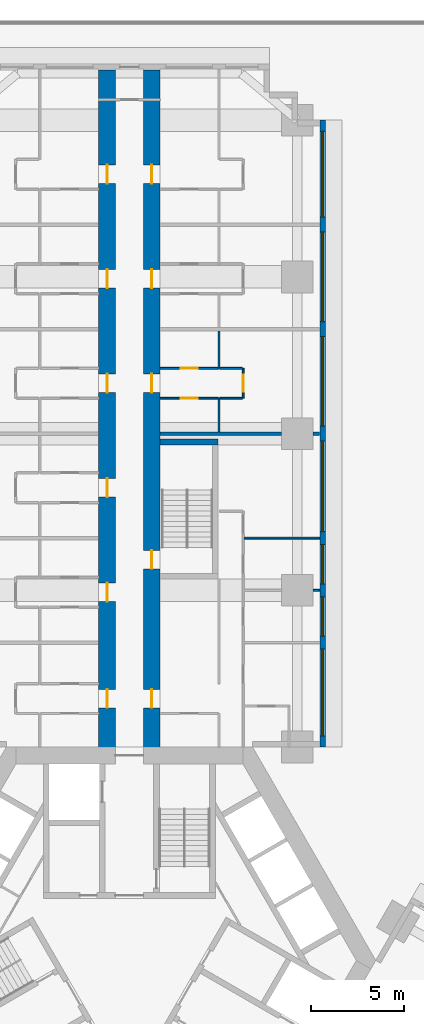
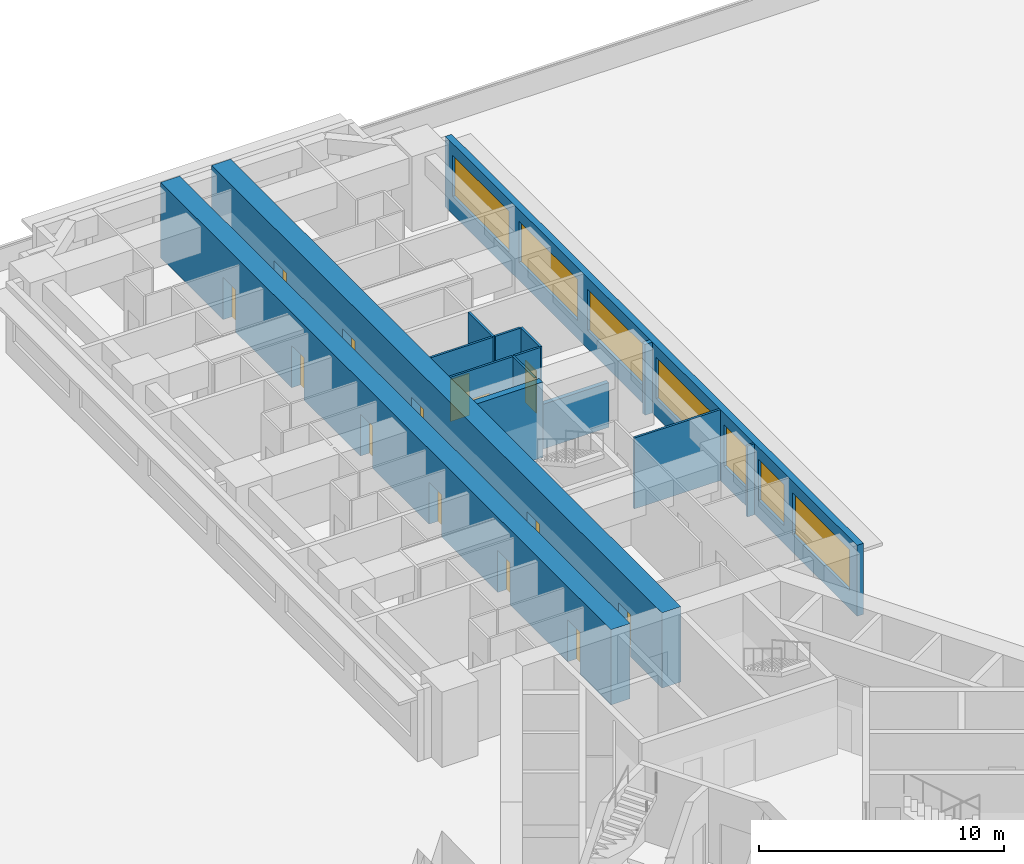
# One storey, part 10 of 18: 15 walls, 14 doors, 7 windows, 21 openings.
"""IFC4 building model written with IfcOpenShell, lengths in metres."""

from ifc_helpers import new_model, si_unit, direction, frame, frame_2d, origin, place, context, subcontext, project, spatial, rectangle, extrude, material, layer, layer_set, type_object, element, fill, save


model = new_model("IFC4")

# Units and contexts
model_context = context("Model", 3, precision=1e-05, world=origin(), true_north=direction((0.0, 1.0)))
body_context = subcontext(model_context, "Body", "Model", "MODEL_VIEW")
ifc_project = project(units=[si_unit("LENGTHUNIT", "METRE"), si_unit("AREAUNIT", "SQUARE_METRE"), si_unit("VOLUMEUNIT", "CUBIC_METRE"), si_unit("PLANEANGLEUNIT", "RADIAN"), si_unit("MASSUNIT", "GRAM", prefix="KILO")], contexts=[model_context])

# Site, building, storey
site_placement = place(None, origin())
site = spatial("IfcSite", under=ifc_project, at=site_placement, CompositionType="ELEMENT")
building_placement = place(site_placement, origin())
building = spatial("IfcBuilding", under=site, at=building_placement, Name="Impinga Residences", CompositionType="ELEMENT")
storey_placement = place(building_placement, frame((0.0, 0.0, 26.0)))
storey = spatial("IfcBuildingStorey", under=building, at=storey_placement, Name="L05", CompositionType="ELEMENT", Elevation=26.0)

# Wall, openings, doors
ifc_material_1 = material(Name="Concrete C70/85", Category="concrete")
ifc_layer_1 = layer(ifc_material_1, 0.89990234375)
ifc_layer_set_1 = layer_set([ifc_layer_1], Name="Concrete C70/85")
wall_type_1 = type_object("IfcWallType", Name="BW1 corridor buttress wall, L05 to L22 900", PredefinedType="SHEAR", material=ifc_layer_set_1)
wall_1_placement = place(storey_placement, frame((-1.199951171875, 10.9814453125, 0.0), z_axis=(0.0, 0.0, 1.0), x_axis=(0.0, 1.0, 0.0)))
wall_1 = element("IfcWall", 1, at=wall_1_placement, inside=storey, type_object=wall_type_1, Name="Corridor wall BW1 NC L05", PredefinedType="SHEAR", context=body_context, shape_type="SweptSolid", body=[
    extrude(rectangle(XDim=36.75, YDim=0.89990234375, at=frame_2d((18.375, 0.0))), origin(), (0.0, 0.0, 1.0), 3.75),
])
opening_1_placement = place(wall_1_placement, frame((2.550048828125, 0.0, 0.0)))
opening_1 = element("IfcOpeningElement", 2, at=opening_1_placement, cuts=wall_1, Name="Opening D1", PredefinedType="OPENING", context=body_context, shape_type="SweptSolid", body=[
    extrude(rectangle(XDim=1.0, YDim=2.10009765625, at=frame_2d((0.5, 1.050048828125))), frame((0.0, 0.4599609375, 0.0), z_axis=(0.0, -1.0, 0.0), x_axis=(1.0, 0.0, 0.0)), (0.0, 0.0, 1.0), 0.919921875),
])
opening_2_placement = place(wall_1_placement, frame((8.25, 0.0, 0.0)))
opening_2 = element("IfcOpeningElement", 3, at=opening_2_placement, cuts=wall_1, Name="Opening D1", PredefinedType="OPENING", context=body_context, shape_type="SweptSolid", body=[
    extrude(rectangle(XDim=1.0, YDim=2.10009765625, at=frame_2d((0.5, 1.050048828125))), frame((0.0, 0.4599609375, 0.0), z_axis=(0.0, -1.0, 0.0), x_axis=(1.0, 0.0, 0.0)), (0.0, 0.0, 1.0), 0.919921875),
])
opening_3_placement = place(wall_1_placement, frame((13.85009765625, 0.0, 0.0)))
opening_3 = element("IfcOpeningElement", 4, at=opening_3_placement, cuts=wall_1, Name="Opening D1", PredefinedType="OPENING", context=body_context, shape_type="SweptSolid", body=[
    extrude(rectangle(XDim=1.0, YDim=2.10009765625, at=frame_2d((0.5, 1.050048828125))), frame((0.0, 0.4599609375, 0.0), z_axis=(0.0, -1.0, 0.0), x_axis=(1.0, 0.0, 0.0)), (0.0, 0.0, 1.0), 0.919921875),
])
opening_4_placement = place(wall_1_placement, frame((19.449951171875, 0.0, 0.0)))
opening_4 = element("IfcOpeningElement", 5, at=opening_4_placement, cuts=wall_1, Name="Opening D1", PredefinedType="OPENING", context=body_context, shape_type="SweptSolid", body=[
    extrude(rectangle(XDim=1.0, YDim=2.10009765625, at=frame_2d((0.5, 1.050048828125))), frame((0.0, 0.4599609375, 0.0), z_axis=(0.0, -1.0, 0.0), x_axis=(1.0, 0.0, 0.0)), (0.0, 0.0, 1.0), 0.919921875),
])
opening_5_placement = place(wall_1_placement, frame((25.050048828125, 0.0, 0.0)))
opening_5 = element("IfcOpeningElement", 6, at=opening_5_placement, cuts=wall_1, Name="Opening D1", PredefinedType="OPENING", context=body_context, shape_type="SweptSolid", body=[
    extrude(rectangle(XDim=1.0, YDim=2.10009765625, at=frame_2d((0.5, 1.050048828125))), frame((0.0, 0.4599609375, 0.0), z_axis=(0.0, -1.0, 0.0), x_axis=(1.0, 0.0, 0.0)), (0.0, 0.0, 1.0), 0.919921875),
])
opening_6_placement = place(wall_1_placement, frame((30.64990234375, 0.0, 0.0)))
opening_6 = element("IfcOpeningElement", 7, at=opening_6_placement, cuts=wall_1, Name="Opening D1", PredefinedType="OPENING", context=body_context, shape_type="SweptSolid", body=[
    extrude(rectangle(XDim=1.0, YDim=2.10009765625, at=frame_2d((0.5, 1.050048828125))), frame((0.0, 0.4599609375, 0.0), z_axis=(0.0, -1.0, 0.0), x_axis=(1.0, 0.0, 0.0)), (0.0, 0.0, 1.0), 0.919921875),
])
ifc_material_2 = material(Name="Timber door set", Category="wood")
door_type_1 = type_object("IfcDoorType", Name="D1 apartment entrance door 1000x2100", OperationType="SINGLE_SWING_LEFT", PredefinedType="DOOR", material=ifc_material_2)
door_1_placement = place(opening_1_placement, origin())
door_1 = element("IfcDoor", 8, at=door_1_placement, inside=storey, type_object=door_type_1, Name="Apartment L05-NA1 entrance", OperationType="SINGLE_SWING_LEFT", OverallHeight=2.10009765625, OverallWidth=1.0, PredefinedType="DOOR", context=body_context, shape_type="SweptSolid", body=[
    extrude(rectangle(XDim=1.0, YDim=2.10009765625, at=frame_2d((0.5, 1.050048828125))), frame((0.0, 0.02490234375, 0.0), z_axis=(0.0, -1.0, 0.0), x_axis=(1.0, 0.0, 0.0)), (0.0, 0.0, 1.0), 0.050048828125),
])
fill(opening_1, door_1)
door_2_placement = place(opening_2_placement, origin())
door_2 = element("IfcDoor", 9, at=door_2_placement, inside=storey, type_object=door_type_1, Name="Apartment L05-NA2 entrance", OperationType="SINGLE_SWING_LEFT", OverallHeight=2.10009765625, OverallWidth=1.0, PredefinedType="DOOR", context=body_context, shape_type="SweptSolid", body=[
    extrude(rectangle(XDim=1.0, YDim=2.10009765625, at=frame_2d((0.5, 1.050048828125))), frame((0.0, 0.02490234375, 0.0), z_axis=(0.0, -1.0, 0.0), x_axis=(1.0, 0.0, 0.0)), (0.0, 0.0, 1.0), 0.050048828125),
])
fill(opening_2, door_2)
door_3_placement = place(opening_3_placement, origin())
door_3 = element("IfcDoor", 10, at=door_3_placement, inside=storey, type_object=door_type_1, Name="Apartment L05-NA3 entrance", OperationType="SINGLE_SWING_LEFT", OverallHeight=2.10009765625, OverallWidth=1.0, PredefinedType="DOOR", context=body_context, shape_type="SweptSolid", body=[
    extrude(rectangle(XDim=1.0, YDim=2.10009765625, at=frame_2d((0.5, 1.050048828125))), frame((0.0, 0.02490234375, 0.0), z_axis=(0.0, -1.0, 0.0), x_axis=(1.0, 0.0, 0.0)), (0.0, 0.0, 1.0), 0.050048828125),
])
fill(opening_3, door_3)
door_4_placement = place(opening_4_placement, origin())
door_4 = element("IfcDoor", 11, at=door_4_placement, inside=storey, type_object=door_type_1, Name="Apartment L05-NA4 entrance", OperationType="SINGLE_SWING_RIGHT", OverallHeight=2.10009765625, OverallWidth=1.0, PredefinedType="DOOR", context=body_context, shape_type="SweptSolid", body=[
    extrude(rectangle(XDim=1.0, YDim=2.10009765625, at=frame_2d((0.5, 1.050048828125))), frame((0.0, 0.02490234375, 0.0), z_axis=(0.0, -1.0, 0.0), x_axis=(1.0, 0.0, 0.0)), (0.0, 0.0, 1.0), 0.050048828125),
])
fill(opening_4, door_4)
door_5_placement = place(opening_5_placement, origin())
door_5 = element("IfcDoor", 12, at=door_5_placement, inside=storey, type_object=door_type_1, Name="Apartment L05-NA5 entrance", OperationType="SINGLE_SWING_RIGHT", OverallHeight=2.10009765625, OverallWidth=1.0, PredefinedType="DOOR", context=body_context, shape_type="SweptSolid", body=[
    extrude(rectangle(XDim=1.0, YDim=2.10009765625, at=frame_2d((0.5, 1.050048828125))), frame((0.0, 0.02490234375, 0.0), z_axis=(0.0, -1.0, 0.0), x_axis=(1.0, 0.0, 0.0)), (0.0, 0.0, 1.0), 0.050048828125),
])
fill(opening_5, door_5)
door_6_placement = place(opening_6_placement, origin())
door_6 = element("IfcDoor", 13, at=door_6_placement, inside=storey, type_object=door_type_1, Name="Apartment L05-NA6 entrance", OperationType="SINGLE_SWING_RIGHT", OverallHeight=2.10009765625, OverallWidth=1.0, PredefinedType="DOOR", context=body_context, shape_type="SweptSolid", body=[
    extrude(rectangle(XDim=1.0, YDim=2.10009765625, at=frame_2d((0.5, 1.050048828125))), frame((0.0, 0.02490234375, 0.0), z_axis=(0.0, -1.0, 0.0), x_axis=(1.0, 0.0, 0.0)), (0.0, 0.0, 1.0), 0.050048828125),
])
fill(opening_6, door_6)

wall_2_placement = place(storey_placement, frame((1.199951171875, 10.9814453125, 0.0), z_axis=(0.0, 0.0, 1.0), x_axis=(0.0, 1.0, 0.0)))
wall_2 = element("IfcWall", 14, at=wall_2_placement, inside=storey, type_object=wall_type_1, Name="Corridor wall BW1 ND L05", PredefinedType="SHEAR", context=body_context, shape_type="SweptSolid", body=[
    extrude(rectangle(XDim=36.75, YDim=0.89990234375, at=frame_2d((18.375, 0.0))), origin(), (0.0, 0.0, 1.0), 3.75),
])
opening_7_placement = place(wall_2_placement, frame((10.0, 0.0, 0.0)))
opening_7 = element("IfcOpeningElement", 15, at=opening_7_placement, cuts=wall_2, Name="Opening D5", PredefinedType="OPENING", context=body_context, shape_type="SweptSolid", body=[
    extrude(rectangle(XDim=1.0, YDim=2.10009765625, at=frame_2d((0.5, 1.050048828125))), frame((0.0, 0.4599609375, 0.0), z_axis=(0.0, -1.0, 0.0), x_axis=(1.0, 0.0, 0.0)), (0.0, 0.0, 1.0), 0.919921875),
])
opening_8_placement = place(wall_2_placement, frame((2.550048828125, 0.0, 0.0)))
opening_8 = element("IfcOpeningElement", 16, at=opening_8_placement, cuts=wall_2, Name="Opening D1", PredefinedType="OPENING", context=body_context, shape_type="SweptSolid", body=[
    extrude(rectangle(XDim=1.0, YDim=2.10009765625, at=frame_2d((0.5, 1.050048828125))), frame((0.0, 0.4599609375, 0.0), z_axis=(0.0, -1.0, 0.0), x_axis=(1.0, 0.0, 0.0)), (0.0, 0.0, 1.0), 0.919921875),
])
opening_9_placement = place(wall_2_placement, frame((19.449951171875, 0.0, 0.0)))
opening_9 = element("IfcOpeningElement", 17, at=opening_9_placement, cuts=wall_2, Name="Opening D1", PredefinedType="OPENING", context=body_context, shape_type="SweptSolid", body=[
    extrude(rectangle(XDim=1.0, YDim=2.10009765625, at=frame_2d((0.5, 1.050048828125))), frame((0.0, 0.4599609375, 0.0), z_axis=(0.0, -1.0, 0.0), x_axis=(1.0, 0.0, 0.0)), (0.0, 0.0, 1.0), 0.919921875),
])
opening_10_placement = place(wall_2_placement, frame((25.050048828125, 0.0, 0.0)))
opening_10 = element("IfcOpeningElement", 18, at=opening_10_placement, cuts=wall_2, Name="Opening D1", PredefinedType="OPENING", context=body_context, shape_type="SweptSolid", body=[
    extrude(rectangle(XDim=1.0, YDim=2.10009765625, at=frame_2d((0.5, 1.050048828125))), frame((0.0, 0.4599609375, 0.0), z_axis=(0.0, -1.0, 0.0), x_axis=(1.0, 0.0, 0.0)), (0.0, 0.0, 1.0), 0.919921875),
])
opening_11_placement = place(wall_2_placement, frame((30.64990234375, 0.0, 0.0)))
opening_11 = element("IfcOpeningElement", 19, at=opening_11_placement, cuts=wall_2, Name="Opening D1", PredefinedType="OPENING", context=body_context, shape_type="SweptSolid", body=[
    extrude(rectangle(XDim=1.0, YDim=2.10009765625, at=frame_2d((0.5, 1.050048828125))), frame((0.0, 0.4599609375, 0.0), z_axis=(0.0, -1.0, 0.0), x_axis=(1.0, 0.0, 0.0)), (0.0, 0.0, 1.0), 0.919921875),
])
door_7_placement = place(opening_8_placement, origin())
door_7 = element("IfcDoor", 20, at=door_7_placement, inside=storey, type_object=door_type_1, Name="Apartment L05-NF1 entrance", OperationType="SINGLE_SWING_LEFT", OverallHeight=2.10009765625, OverallWidth=1.0, PredefinedType="DOOR", context=body_context, shape_type="SweptSolid", body=[
    extrude(rectangle(XDim=1.0, YDim=2.10009765625, at=frame_2d((0.5, 1.050048828125))), frame((0.0, 0.02490234375, 0.0), z_axis=(0.0, -1.0, 0.0), x_axis=(1.0, 0.0, 0.0)), (0.0, 0.0, 1.0), 0.050048828125),
])
fill(opening_8, door_7)
door_8_placement = place(opening_9_placement, origin())
door_8 = element("IfcDoor", 21, at=door_8_placement, inside=storey, type_object=door_type_1, Name="Apartment L05-NF2 entrance", OperationType="SINGLE_SWING_RIGHT", OverallHeight=2.10009765625, OverallWidth=1.0, PredefinedType="DOOR", context=body_context, shape_type="SweptSolid", body=[
    extrude(rectangle(XDim=1.0, YDim=2.10009765625, at=frame_2d((0.5, 1.050048828125))), frame((0.0, 0.02490234375, 0.0), z_axis=(0.0, -1.0, 0.0), x_axis=(1.0, 0.0, 0.0)), (0.0, 0.0, 1.0), 0.050048828125),
])
fill(opening_9, door_8)
door_9_placement = place(opening_10_placement, origin())
door_9 = element("IfcDoor", 22, at=door_9_placement, inside=storey, type_object=door_type_1, Name="Apartment L05-NF3 entrance", OperationType="SINGLE_SWING_RIGHT", OverallHeight=2.10009765625, OverallWidth=1.0, PredefinedType="DOOR", context=body_context, shape_type="SweptSolid", body=[
    extrude(rectangle(XDim=1.0, YDim=2.10009765625, at=frame_2d((0.5, 1.050048828125))), frame((0.0, 0.02490234375, 0.0), z_axis=(0.0, -1.0, 0.0), x_axis=(1.0, 0.0, 0.0)), (0.0, 0.0, 1.0), 0.050048828125),
])
fill(opening_10, door_9)
door_10_placement = place(opening_11_placement, origin())
door_10 = element("IfcDoor", 23, at=door_10_placement, inside=storey, type_object=door_type_1, Name="Apartment L05-NF4 entrance", OperationType="SINGLE_SWING_RIGHT", OverallHeight=2.10009765625, OverallWidth=1.0, PredefinedType="DOOR", context=body_context, shape_type="SweptSolid", body=[
    extrude(rectangle(XDim=1.0, YDim=2.10009765625, at=frame_2d((0.5, 1.050048828125))), frame((0.0, 0.02490234375, 0.0), z_axis=(0.0, -1.0, 0.0), x_axis=(1.0, 0.0, 0.0)), (0.0, 0.0, 1.0), 0.050048828125),
])
fill(opening_11, door_10)
door_type_2 = type_object("IfcDoorType", Name="D5 stair door 1000x2100", OperationType="SINGLE_SWING_LEFT", PredefinedType="DOOR", material=ifc_material_2)
door_11_placement = place(opening_7_placement, origin())
door_11 = element("IfcDoor", 24, at=door_11_placement, inside=storey, type_object=door_type_2, Name="Wing stair door N", OperationType="SINGLE_SWING_LEFT", OverallHeight=2.10009765625, OverallWidth=1.0, PredefinedType="DOOR", context=body_context, shape_type="SweptSolid", body=[
    extrude(rectangle(XDim=1.0, YDim=2.10009765625, at=frame_2d((0.5, 1.050048828125))), frame((0.0, 0.02490234375, 0.0), z_axis=(0.0, -1.0, 0.0), x_axis=(1.0, 0.0, 0.0)), (0.0, 0.0, 1.0), 0.050048828125),
])
fill(opening_7, door_11)

# Wall, openings, windows
ifc_material_3 = material(Name="Terracotta rainscreen on blockwork", Category="masonry")
ifc_layer_2 = layer(ifc_material_3, 0.300048828125)
ifc_layer_set_2 = layer_set([ifc_layer_2], Name="EW1 external wall, terracotta rainscreen on blockwork 300")
wall_type_2 = type_object("IfcWallType", Name="EW1 external wall, terracotta rainscreen on blockwork 300", PredefinedType="SOLIDWALL", material=ifc_layer_set_2)
wall_3_placement = place(storey_placement, frame((10.35009765625, 45.031494140625, 0.0), z_axis=(0.0, 0.0, 1.0), x_axis=(0.0, -1.0, 0.0)))
wall_3 = element("IfcWall", 25, at=wall_3_placement, inside=storey, type_object=wall_type_2, Name="External wall EW1 L05", PredefinedType="SOLIDWALL", context=body_context, shape_type="SweptSolid", body=[
    extrude(rectangle(XDim=33.599853515625, YDim=0.300048828125, at=frame_2d((16.7998046875, 0.0))), origin(), (0.0, 0.0, 1.0), 3.530029296875),
])
opening_12_placement = place(wall_3_placement, frame((0.60009765625, 0.0, 0.89990234375)))
opening_12 = element("IfcOpeningElement", 26, at=opening_12_placement, cuts=wall_3, Name="Opening W3", PredefinedType="OPENING", context=body_context, shape_type="SweptSolid", body=[
    extrude(rectangle(XDim=4.60009765625, YDim=2.050048828125, at=frame_2d((2.300048828125, 1.02490234375))), frame((0.0, 0.159912109375, 0.0), z_axis=(0.0, -1.0, 0.0), x_axis=(1.0, 0.0, 0.0)), (0.0, 0.0, 1.0), 0.320068359375),
])
opening_13_placement = place(wall_3_placement, frame((6.0, 0.0, 0.89990234375)))
opening_13 = element("IfcOpeningElement", 27, at=opening_13_placement, cuts=wall_3, Name="Opening W8", PredefinedType="OPENING", context=body_context, shape_type="SweptSolid", body=[
    extrude(rectangle(XDim=4.800048828125, YDim=2.050048828125, at=frame_2d((2.39990234375, 1.02490234375))), frame((0.0, 0.159912109375, 0.0), z_axis=(0.0, -1.0, 0.0), x_axis=(1.0, 0.0, 0.0)), (0.0, 0.0, 1.0), 0.320068359375),
])
opening_14_placement = place(wall_3_placement, frame((11.60009765625, 0.0, 0.89990234375)))
opening_14 = element("IfcOpeningElement", 28, at=opening_14_placement, cuts=wall_3, Name="Opening W8", PredefinedType="OPENING", context=body_context, shape_type="SweptSolid", body=[
    extrude(rectangle(XDim=4.800048828125, YDim=2.050048828125, at=frame_2d((2.39990234375, 1.02490234375))), frame((0.0, 0.159912109375, 0.0), z_axis=(0.0, -1.0, 0.0), x_axis=(1.0, 0.0, 0.0)), (0.0, 0.0, 1.0), 0.320068359375),
])
opening_15_placement = place(wall_3_placement, frame((17.199951171875, 0.0, 0.89990234375)))
opening_15 = element("IfcOpeningElement", 29, at=opening_15_placement, cuts=wall_3, Name="Opening W6", PredefinedType="OPENING", context=body_context, shape_type="SweptSolid", body=[
    extrude(rectangle(XDim=4.85009765625, YDim=2.050048828125, at=frame_2d((2.425048828125, 1.02490234375))), frame((0.0, 0.159912109375, 0.0), z_axis=(0.0, -1.0, 0.0), x_axis=(1.0, 0.0, 0.0)), (0.0, 0.0, 1.0), 0.320068359375),
])
opening_16_placement = place(wall_3_placement, frame((22.75, 0.0, 0.89990234375)))
opening_16 = element("IfcOpeningElement", 30, at=opening_16_placement, cuts=wall_3, Name="Opening W9", PredefinedType="OPENING", context=body_context, shape_type="SweptSolid", body=[
    extrude(rectangle(XDim=2.10009765625, YDim=2.050048828125, at=frame_2d((1.050048828125, 1.02490234375))), frame((0.0, 0.159912109375, 0.0), z_axis=(0.0, -1.0, 0.0), x_axis=(1.0, 0.0, 0.0)), (0.0, 0.0, 1.0), 0.320068359375),
])
opening_17_placement = place(wall_3_placement, frame((25.550048828125, 0.0, 0.89990234375)))
opening_17 = element("IfcOpeningElement", 31, at=opening_17_placement, cuts=wall_3, Name="Opening W9", PredefinedType="OPENING", context=body_context, shape_type="SweptSolid", body=[
    extrude(rectangle(XDim=2.10009765625, YDim=2.050048828125, at=frame_2d((1.050048828125, 1.02490234375))), frame((0.0, 0.159912109375, 0.0), z_axis=(0.0, -1.0, 0.0), x_axis=(1.0, 0.0, 0.0)), (0.0, 0.0, 1.0), 0.320068359375),
])
opening_18_placement = place(wall_3_placement, frame((28.35009765625, 0.0, 0.89990234375)))
opening_18 = element("IfcOpeningElement", 32, at=opening_18_placement, cuts=wall_3, Name="Opening W10", PredefinedType="OPENING", context=body_context, shape_type="SweptSolid", body=[
    extrude(rectangle(XDim=4.64990234375, YDim=2.050048828125, at=frame_2d((2.324951171875, 1.02490234375))), frame((0.0, 0.159912109375, 0.0), z_axis=(0.0, -1.0, 0.0), x_axis=(1.0, 0.0, 0.0)), (0.0, 0.0, 1.0), 0.320068359375),
])
ifc_material_4 = material(Name="Aluminium window, clear double glazing", Category="aluminium")
window_type_1 = type_object("IfcWindowType", Name="W10 ribbon window 4650x2050", PartitioningType="SINGLE_PANEL", PredefinedType="WINDOW", material=ifc_material_4)
window_1_placement = place(opening_18_placement, origin())
window_1 = element("IfcWindow", 33, at=window_1_placement, inside=storey, type_object=window_type_1, Name="Window L05", OverallHeight=2.050048828125, OverallWidth=4.64990234375, PartitioningType="SINGLE_PANEL", PredefinedType="WINDOW", context=body_context, shape_type="SweptSolid", body=[
    extrude(rectangle(XDim=4.64990234375, YDim=2.050048828125, at=frame_2d((2.324951171875, 1.02490234375))), frame((0.0, 0.030029296875, 0.0), z_axis=(0.0, -1.0, 0.0), x_axis=(1.0, 0.0, 0.0)), (0.0, 0.0, 1.0), 0.06005859375),
])
fill(opening_18, window_1)
window_type_2 = type_object("IfcWindowType", Name="W3 ribbon window 4600x2050", PartitioningType="SINGLE_PANEL", PredefinedType="WINDOW", material=ifc_material_4)
window_2_placement = place(opening_12_placement, origin())
window_2 = element("IfcWindow", 34, at=window_2_placement, inside=storey, type_object=window_type_2, Name="Window L05", OverallHeight=2.050048828125, OverallWidth=4.60009765625, PartitioningType="SINGLE_PANEL", PredefinedType="WINDOW", context=body_context, shape_type="SweptSolid", body=[
    extrude(rectangle(XDim=4.60009765625, YDim=2.050048828125, at=frame_2d((2.300048828125, 1.02490234375))), frame((0.0, 0.030029296875, 0.0), z_axis=(0.0, -1.0, 0.0), x_axis=(1.0, 0.0, 0.0)), (0.0, 0.0, 1.0), 0.06005859375),
])
fill(opening_12, window_2)
window_type_3 = type_object("IfcWindowType", Name="W6 ribbon window 4850x2050", PartitioningType="SINGLE_PANEL", PredefinedType="WINDOW", material=ifc_material_4)
window_3_placement = place(opening_15_placement, origin())
window_3 = element("IfcWindow", 35, at=window_3_placement, inside=storey, type_object=window_type_3, Name="Window L05", OverallHeight=2.050048828125, OverallWidth=4.85009765625, PartitioningType="SINGLE_PANEL", PredefinedType="WINDOW", context=body_context, shape_type="SweptSolid", body=[
    extrude(rectangle(XDim=4.85009765625, YDim=2.050048828125, at=frame_2d((2.425048828125, 1.02490234375))), frame((0.0, 0.030029296875, 0.0), z_axis=(0.0, -1.0, 0.0), x_axis=(1.0, 0.0, 0.0)), (0.0, 0.0, 1.0), 0.06005859375),
])
fill(opening_15, window_3)
window_type_4 = type_object("IfcWindowType", Name="W8 ribbon window 4800x2050", PartitioningType="SINGLE_PANEL", PredefinedType="WINDOW", material=ifc_material_4)
window_4_placement = place(opening_13_placement, origin())
window_4 = element("IfcWindow", 36, at=window_4_placement, inside=storey, type_object=window_type_4, Name="Window L05", OverallHeight=2.050048828125, OverallWidth=4.800048828125, PartitioningType="SINGLE_PANEL", PredefinedType="WINDOW", context=body_context, shape_type="SweptSolid", body=[
    extrude(rectangle(XDim=4.800048828125, YDim=2.050048828125, at=frame_2d((2.39990234375, 1.02490234375))), frame((0.0, 0.030029296875, 0.0), z_axis=(0.0, -1.0, 0.0), x_axis=(1.0, 0.0, 0.0)), (0.0, 0.0, 1.0), 0.06005859375),
])
fill(opening_13, window_4)
window_5_placement = place(opening_14_placement, origin())
window_5 = element("IfcWindow", 37, at=window_5_placement, inside=storey, type_object=window_type_4, Name="Window L05", OverallHeight=2.050048828125, OverallWidth=4.800048828125, PartitioningType="SINGLE_PANEL", PredefinedType="WINDOW", context=body_context, shape_type="SweptSolid", body=[
    extrude(rectangle(XDim=4.800048828125, YDim=2.050048828125, at=frame_2d((2.39990234375, 1.02490234375))), frame((0.0, 0.030029296875, 0.0), z_axis=(0.0, -1.0, 0.0), x_axis=(1.0, 0.0, 0.0)), (0.0, 0.0, 1.0), 0.06005859375),
])
fill(opening_14, window_5)
window_type_5 = type_object("IfcWindowType", Name="W9 ribbon window 2100x2050", PartitioningType="SINGLE_PANEL", PredefinedType="WINDOW", material=ifc_material_4)
window_6_placement = place(opening_16_placement, origin())
window_6 = element("IfcWindow", 38, at=window_6_placement, inside=storey, type_object=window_type_5, Name="Window L05", OverallHeight=2.050048828125, OverallWidth=2.10009765625, PartitioningType="SINGLE_PANEL", PredefinedType="WINDOW", context=body_context, shape_type="SweptSolid", body=[
    extrude(rectangle(XDim=2.10009765625, YDim=2.050048828125, at=frame_2d((1.050048828125, 1.02490234375))), frame((0.0, 0.030029296875, 0.0), z_axis=(0.0, -1.0, 0.0), x_axis=(1.0, 0.0, 0.0)), (0.0, 0.0, 1.0), 0.06005859375),
])
fill(opening_16, window_6)
window_7_placement = place(opening_17_placement, origin())
window_7 = element("IfcWindow", 39, at=window_7_placement, inside=storey, type_object=window_type_5, Name="Window L05", OverallHeight=2.050048828125, OverallWidth=2.10009765625, PartitioningType="SINGLE_PANEL", PredefinedType="WINDOW", context=body_context, shape_type="SweptSolid", body=[
    extrude(rectangle(XDim=2.10009765625, YDim=2.050048828125, at=frame_2d((1.050048828125, 1.02490234375))), frame((0.0, 0.030029296875, 0.0), z_axis=(0.0, -1.0, 0.0), x_axis=(1.0, 0.0, 0.0)), (0.0, 0.0, 1.0), 0.06005859375),
])
fill(opening_17, window_7)

# Walls
ifc_material_5 = material(Name="Gypsum board on steel studs", Category="steel")
ifc_layer_3 = layer(ifc_material_5, 0.10009765625)
ifc_layer_set_3 = layer_set([ifc_layer_3], Name="Gypsum board on steel studs")
wall_type_3 = type_object("IfcWallType", Name="IP1 partition 100", PredefinedType="PARTITIONING", material=ifc_layer_set_3)
wall_4_placement = place(storey_placement, frame((9.85009765625, 19.83154296875, 0.0), z_axis=(0.0, 0.0, 1.0), x_axis=(1.0, 0.0, 0.0)))
element("IfcWall", 40, at=wall_4_placement, inside=storey, type_object=wall_type_3, Name="Partition L05-NF1:OB2b", PredefinedType="PARTITIONING", context=body_context, shape_type="SweptSolid", body=[
    extrude(rectangle(XDim=0.349853515625, YDim=0.10009765625, at=frame_2d((0.1748046875, 0.0))), origin(), (0.0, 0.0, 1.0), 3.530029296875),
])
wall_5_placement = place(storey_placement, frame((6.14990234375, 22.631591796875, 0.0), z_axis=(0.0, 0.0, 1.0), x_axis=(1.0, 0.0, 0.0)))
element("IfcWall", 41, at=wall_5_placement, inside=storey, type_object=wall_type_3, Name="Partition L05-NF1:OB3", PredefinedType="PARTITIONING", context=body_context, shape_type="SweptSolid", body=[
    extrude(rectangle(XDim=4.050048828125, YDim=0.10009765625, at=frame_2d((2.02490234375, 0.0))), origin(), (0.0, 0.0, 1.0), 3.530029296875),
])
wall_6_placement = place(storey_placement, frame((4.800048828125, 28.33154296875, 0.0), z_axis=(0.0, 0.0, 1.0), x_axis=(0.0, 1.0, 0.0)))
element("IfcWall", 42, at=wall_6_placement, inside=storey, type_object=wall_type_3, Name="Partition L05-NF2:DIV0", PredefinedType="PARTITIONING", context=body_context, shape_type="SweptSolid", body=[
    extrude(rectangle(XDim=1.800048828125, YDim=0.10009765625, at=frame_2d((0.89990234375, 0.0))), origin(), (0.0, 0.0, 1.0), 3.530029296875),
])
wall_7_placement = place(storey_placement, frame((4.800048828125, 31.7314453125, 0.0), z_axis=(0.0, 0.0, 1.0), x_axis=(0.0, 1.0, 0.0)))
element("IfcWall", 43, at=wall_7_placement, inside=storey, type_object=wall_type_3, Name="Partition L05-NF2:DIV1", PredefinedType="PARTITIONING", context=body_context, shape_type="SweptSolid", body=[
    extrude(rectangle(XDim=2.0, YDim=0.10009765625, at=frame_2d((1.0, 0.0))), origin(), (0.0, 0.0, 1.0), 3.530029296875),
])

# Wall, opening, door
wall_8_placement = place(storey_placement, frame((6.10009765625, 30.131591796875, 0.0), z_axis=(0.0, 0.0, 1.0), x_axis=(0.0, 1.0, 0.0)))
wall_8 = element("IfcWall", 44, at=wall_8_placement, inside=storey, type_object=wall_type_3, Name="Partition L05-NF2:STRIP", PredefinedType="PARTITIONING", context=body_context, shape_type="SweptSolid", body=[
    extrude(rectangle(XDim=1.599853515625, YDim=0.10009765625, at=frame_2d((0.7998046875, 0.0))), origin(), (0.0, 0.0, 1.0), 3.530029296875),
])
opening_19_placement = place(wall_8_placement, frame((0.35009765625, 0.0, 0.0)))
opening_19 = element("IfcOpeningElement", 45, at=opening_19_placement, cuts=wall_8, Name="Opening D2", PredefinedType="OPENING", context=body_context, shape_type="SweptSolid", body=[
    extrude(rectangle(XDim=0.89990234375, YDim=2.10009765625, at=frame_2d((0.449951171875, 1.050048828125))), frame((0.0, 0.06005859375, 0.0), z_axis=(0.0, -1.0, 0.0), x_axis=(1.0, 0.0, 0.0)), (0.0, 0.0, 1.0), 0.1201171875),
])
door_type_3 = type_object("IfcDoorType", Name="D2 internal door 900x2100", OperationType="SINGLE_SWING_LEFT", PredefinedType="DOOR", material=ifc_material_2)
door_12_placement = place(opening_19_placement, origin())
door_12 = element("IfcDoor", 46, at=door_12_placement, inside=storey, type_object=door_type_3, Name="Apartment L05-NF2 room door", OperationType="SINGLE_SWING_LEFT", OverallHeight=2.10009765625, OverallWidth=0.89990234375, PredefinedType="DOOR", context=body_context, shape_type="SweptSolid", body=[
    extrude(rectangle(XDim=0.89990234375, YDim=2.10009765625, at=frame_2d((0.449951171875, 1.050048828125))), frame((0.0, 0.02490234375, 0.0), z_axis=(0.0, -1.0, 0.0), x_axis=(1.0, 0.0, 0.0)), (0.0, 0.0, 1.0), 0.050048828125),
])
fill(opening_19, door_12)

# Walls
for number, where, z_axis, x_axis, name in (
    (47, (4.85009765625, 30.131591796875, 0.0), (0.0, 0.0, 1.0), (1.0, 0.0, 0.0), "Partition L05-NF2:SE0"),
    (48, (4.85009765625, 31.7314453125, 0.0), (0.0, 0.0, 1.0), (1.0, 0.0, 0.0), "Partition L05-NF2:SE1"),
):
    element("IfcWall", number, at=place(storey_placement, frame(where, z_axis=z_axis, x_axis=x_axis)), inside=storey, type_object=wall_type_3, Name=name, PredefinedType="PARTITIONING", context=body_context, shape_type="SweptSolid", body=[
        extrude(rectangle(XDim=1.199951171875, YDim=0.10009765625, at=frame_2d((0.60009765625, 0.0))), origin(), (0.0, 0.0, 1.0), 3.530029296875),
    ])

# Wall, opening, door
wall_9_placement = place(storey_placement, frame((1.64990234375, 30.131591796875, 0.0), z_axis=(0.0, 0.0, 1.0), x_axis=(1.0, 0.0, 0.0)))
wall_9 = element("IfcWall", 49, at=wall_9_placement, inside=storey, type_object=wall_type_3, Name="Partition L05-NF2:IB1", PredefinedType="PARTITIONING", context=body_context, shape_type="SweptSolid", body=[
    extrude(rectangle(XDim=3.10009765625, YDim=0.10009765625, at=frame_2d((1.550048828125, 0.0))), origin(), (0.0, 0.0, 1.0), 3.530029296875),
])
opening_20_placement = place(wall_9_placement, frame((1.10009765625, 0.0, 0.0)))
opening_20 = element("IfcOpeningElement", 50, at=opening_20_placement, cuts=wall_9, Name="Opening D2", PredefinedType="OPENING", context=body_context, shape_type="SweptSolid", body=[
    extrude(rectangle(XDim=0.89990234375, YDim=2.10009765625, at=frame_2d((0.449951171875, 1.050048828125))), frame((0.0, 0.06005859375, 0.0), z_axis=(0.0, -1.0, 0.0), x_axis=(1.0, 0.0, 0.0)), (0.0, 0.0, 1.0), 0.1201171875),
])
door_13_placement = place(opening_20_placement, origin())
door_13 = element("IfcDoor", 51, at=door_13_placement, inside=storey, type_object=door_type_3, Name="Apartment L05-NF2 bathroom door", OperationType="SINGLE_SWING_LEFT", OverallHeight=2.10009765625, OverallWidth=0.89990234375, PredefinedType="DOOR", context=body_context, shape_type="SweptSolid", body=[
    extrude(rectangle(XDim=0.89990234375, YDim=2.10009765625, at=frame_2d((0.449951171875, 1.050048828125))), frame((0.0, 0.02490234375, 0.0), z_axis=(0.0, -1.0, 0.0), x_axis=(1.0, 0.0, 0.0)), (0.0, 0.0, 1.0), 0.050048828125),
])
fill(opening_20, door_13)

wall_10_placement = place(storey_placement, frame((1.64990234375, 31.7314453125, 0.0), z_axis=(0.0, 0.0, 1.0), x_axis=(1.0, 0.0, 0.0)))
wall_10 = element("IfcWall", 52, at=wall_10_placement, inside=storey, type_object=wall_type_3, Name="Partition L05-NF2:IB2", PredefinedType="PARTITIONING", context=body_context, shape_type="SweptSolid", body=[
    extrude(rectangle(XDim=3.10009765625, YDim=0.10009765625, at=frame_2d((1.550048828125, 0.0))), origin(), (0.0, 0.0, 1.0), 3.530029296875),
])
opening_21_placement = place(wall_10_placement, frame((1.10009765625, 0.0, 0.0)))
opening_21 = element("IfcOpeningElement", 53, at=opening_21_placement, cuts=wall_10, Name="Opening D2", PredefinedType="OPENING", context=body_context, shape_type="SweptSolid", body=[
    extrude(rectangle(XDim=0.89990234375, YDim=2.10009765625, at=frame_2d((0.449951171875, 1.050048828125))), frame((0.0, 0.06005859375, 0.0), z_axis=(0.0, -1.0, 0.0), x_axis=(1.0, 0.0, 0.0)), (0.0, 0.0, 1.0), 0.1201171875),
])
door_14_placement = place(opening_21_placement, origin())
door_14 = element("IfcDoor", 54, at=door_14_placement, inside=storey, type_object=door_type_3, Name="Apartment L05-NF2 WC door", OperationType="SINGLE_SWING_LEFT", OverallHeight=2.10009765625, OverallWidth=0.89990234375, PredefinedType="DOOR", context=body_context, shape_type="SweptSolid", body=[
    extrude(rectangle(XDim=0.89990234375, YDim=2.10009765625, at=frame_2d((0.449951171875, 1.050048828125))), frame((0.0, 0.02490234375, 0.0), z_axis=(0.0, -1.0, 0.0), x_axis=(1.0, 0.0, 0.0)), (0.0, 0.0, 1.0), 0.050048828125),
])
fill(opening_21, door_14)

# Walls
ifc_material_6 = material(Name="Concrete blockwork", Category="masonry")
ifc_layer_4 = layer(ifc_material_6, 0.199951171875)
ifc_layer_set_4 = layer_set([ifc_layer_4], Name="PW1 party wall between apartments 200")
wall_type_4 = type_object("IfcWallType", Name="PW1 party wall between apartments 200", PredefinedType="SOLIDWALL", material=ifc_layer_set_4)
wall_11_placement = place(storey_placement, frame((1.64990234375, 28.2314453125, 0.0), z_axis=(0.0, 0.0, 1.0), x_axis=(1.0, 0.0, 0.0)))
element("IfcWall", 55, at=wall_11_placement, inside=storey, type_object=wall_type_4, Name="Party wall between apartments L05-NF1:PARTY", PredefinedType="SOLIDWALL", context=body_context, shape_type="SweptSolid", body=[
    extrude(rectangle(XDim=6.5, YDim=0.199951171875, at=frame_2d((3.25, 0.0))), origin(), (0.0, 0.0, 1.0), 2.22998046875),
])
wall_12_placement = place(storey_placement, frame((9.85009765625, 28.2314453125, 0.0), z_axis=(0.0, 0.0, 1.0), x_axis=(1.0, 0.0, 0.0)))
element("IfcWall", 56, at=wall_12_placement, inside=storey, type_object=wall_type_4, Name="Party wall between apartments L05-NF1:PARTYb", PredefinedType="SOLIDWALL", context=body_context, shape_type="SweptSolid", body=[
    extrude(rectangle(XDim=0.349853515625, YDim=0.199951171875, at=frame_2d((0.1748046875, 0.0))), origin(), (0.0, 0.0, 1.0), 3.530029296875),
])
ifc_material_7 = material(Name="Concrete C60/75", Category="concrete")
ifc_layer_5 = layer(ifc_material_7, 0.300048828125)
ifc_layer_set_5 = layer_set([ifc_layer_5], Name="Concrete C60/75")
wall_type_5 = type_object("IfcWallType", Name="SE1 wing stair enclosure wall 300", PredefinedType="SOLIDWALL", material=ifc_layer_set_5)
wall_13_placement = place(storey_placement, frame((1.64990234375, 27.781494140625, 0.0), z_axis=(0.0, 0.0, 1.0), x_axis=(1.0, 0.0, 0.0)))
element("IfcWall", 57, at=wall_13_placement, inside=storey, type_object=wall_type_5, Name="Stair enclosure wall SE1 N END1 L05", PredefinedType="SOLIDWALL", context=body_context, shape_type="SweptSolid", body=[
    extrude(rectangle(XDim=3.10009765625, YDim=0.300048828125, at=frame_2d((1.550048828125, 0.0))), origin(), (0.0, 0.0, 1.0), 3.75),
])

save(model, "model.ifc")
